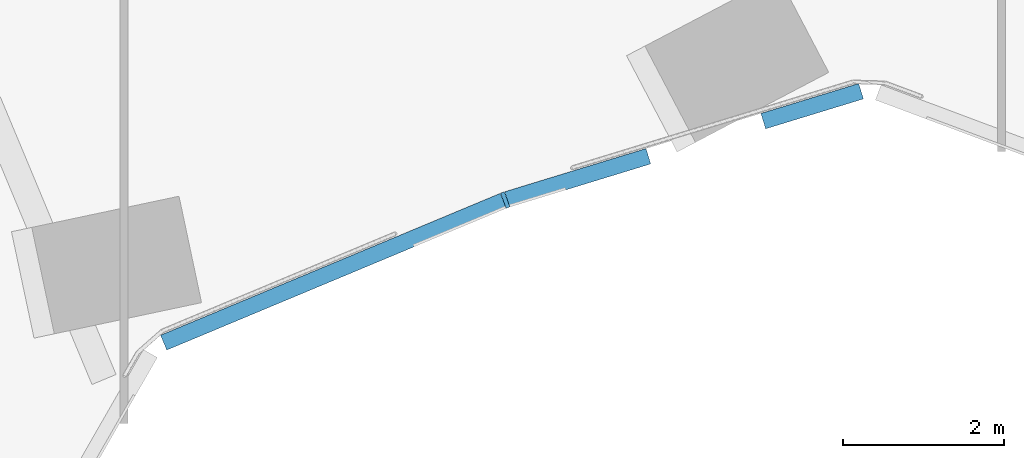
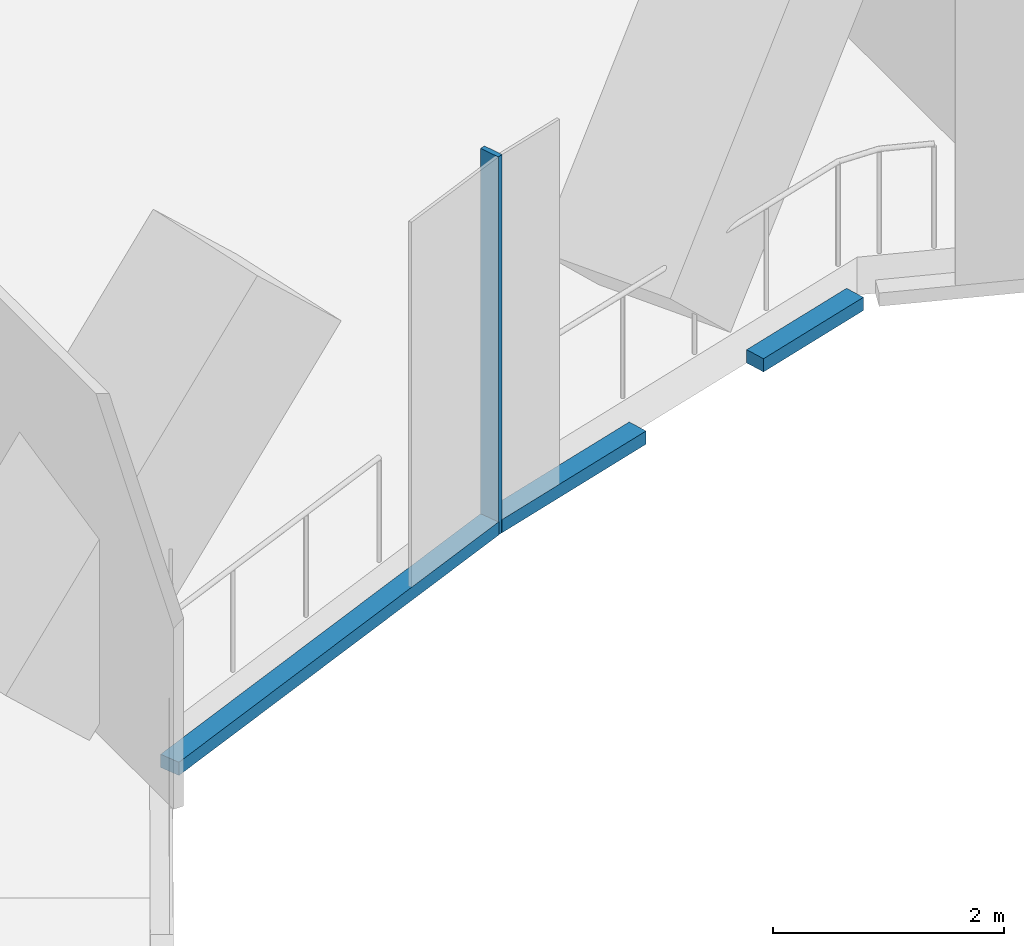
# One storey, part 6 of 34: 4 members, 2 elements without a shape of their own.
"""IFC4 building model written with IfcOpenShell, lengths in metres."""

from ifc_helpers import new_model, si_unit, direction, frame, origin, origin_2d, place, context, subcontext, project, spatial, rectangle, extrude, material, material_profile, profile_set, type_object, element, aggregate, save


model = new_model("IFC4")

# Units and contexts
model_context = context("Model", 3, precision=1e-05, world=origin(), true_north=direction((0.0, 1.0)))
body_context = subcontext(model_context, "Body", "Model", "MODEL_VIEW")
ifc_project = project(units=[si_unit("LENGTHUNIT", "METRE"), si_unit("AREAUNIT", "SQUARE_METRE"), si_unit("VOLUMEUNIT", "CUBIC_METRE"), si_unit("PLANEANGLEUNIT", "RADIAN"), si_unit("MASSUNIT", "GRAM", prefix="KILO")], contexts=[model_context])

# Site, building, storey
site_placement = place(None, origin())
site = spatial("IfcSite", under=ifc_project, at=site_placement, CompositionType="ELEMENT")
building_placement = place(site_placement, origin())
building = spatial("IfcBuilding", under=site, at=building_placement, Name="Orlundy Tower", CompositionType="ELEMENT")
storey_placement = place(building_placement, frame((0.0, 0.0, 98.199951171875)))
storey = spatial("IfcBuildingStorey", under=building, at=storey_placement, Name="L24", CompositionType="ELEMENT", Elevation=98.199951171875)

# Curtain wall, member
ifc_material_1 = material(Name="Aluminium bronze anodised", Category="aluminium")
curtain_wall_type = type_object("IfcCurtainWallType", Name="CW5 wall", PredefinedType="NOTDEFINED", material=ifc_material_1)
curtain_wall_1_placement = place(storey_placement, origin())
curtain_wall_1 = element("IfcCurtainWall", 1, at=curtain_wall_1_placement, inside=storey, type_object=curtain_wall_type, Name="CW5 run 043", PredefinedType="NOTDEFINED")
ifc_material_2 = material(Name="Aluminium bronze anodised", Category="aluminium")
ifc_material_profile_1 = material_profile(ifc_material_2, rectangle(XDim=0.199951171875, YDim=0.050048828125, at=origin_2d()), Name="CW5 mullion 50x200")
ifc_profile_set_1 = profile_set([ifc_material_profile_1], Name="Aluminium bronze anodised")
member_type_1 = type_object("IfcMemberType", Name="CW5 mullion 50x200", PredefinedType="MULLION", material=ifc_profile_set_1)
member_1_placement = place(storey_placement, frame((10.22607421875, -28.34912109375, -0.39990234375), z_axis=(0.0, 0.0, 1.0), x_axis=(0.339258873688, -0.940693051225, 0.0)))
member_1 = element("IfcMember", 2, at=member_1_placement, type_object=member_type_1, Name="CW5 mullion 76", PredefinedType="MULLION", context=body_context, shape_type="SweptSolid", body=[
    extrude(rectangle(XDim=0.199951171875, YDim=0.050048828125, at=origin_2d()), origin(), (0.0, 0.0, 1.0), 4.0),
])

# Curtain wall, members
curtain_wall_2_placement = place(storey_placement, origin())
curtain_wall_2 = element("IfcCurtainWall", 3, at=curtain_wall_2_placement, inside=storey, type_object=curtain_wall_type, Name="CW5 run 042", PredefinedType="NOTDEFINED")
ifc_material_3 = material(Name="Aluminium bronze anodised", Category="aluminium")
ifc_material_profile_2 = material_profile(ifc_material_3, rectangle(XDim=0.199951171875, YDim=0.139892578125, at=origin_2d()), Name="CW5 transom 200x140")
ifc_profile_set_2 = profile_set([ifc_material_profile_2], Name="Aluminium bronze anodised")
member_type_2 = type_object("IfcMemberType", Name="CW5 transom 200x140", PredefinedType="USERDEFINED", material=ifc_profile_set_2)
member_2_placement = place(storey_placement, frame((14.64306640625, -26.998779296875, -0.329833984375), z_axis=(-0.956293310255, -0.292409139326, 0.0), x_axis=(0.292409139326, -0.956293310255, 0.0)))
member_2 = element("IfcMember", 4, at=member_2_placement, type_object=member_type_2, Name="CW5 transom", ObjectType="TRANSOM", PredefinedType="USERDEFINED", context=body_context, shape_type="SweptSolid", body=[
    extrude(rectangle(XDim=0.199951171875, YDim=0.139892578125, at=origin_2d()), origin(), (0.0, 0.0, 1.0), 1.26904296875),
])
member_3_placement = place(storey_placement, frame((12.002685546875, -27.805908203125, -0.329833984375), z_axis=(-0.956298817596, -0.292391127542, 0.0), x_axis=(0.292391127542, -0.956298817596, 0.0)))
member_3 = element("IfcMember", 5, at=member_3_placement, type_object=member_type_2, Name="CW5 transom", ObjectType="TRANSOM", PredefinedType="USERDEFINED", context=body_context, shape_type="SweptSolid", body=[
    extrude(rectangle(XDim=0.199951171875, YDim=0.139892578125, at=origin_2d()), origin(), (0.0, 0.0, 1.0), 1.832763671875),
])
aggregate(curtain_wall_2, [member_2, member_3])

# Member
member_4_placement = place(storey_placement, frame((10.202880859375, -28.35888671875, -0.329833984375), z_axis=(-0.922785815629, -0.385313299115, 0.0), x_axis=(0.385313299115, -0.922785815629, 0.0)))
member_4 = element("IfcMember", 6, at=member_4_placement, type_object=member_type_2, Name="CW5 transom", ObjectType="TRANSOM", PredefinedType="USERDEFINED", context=body_context, shape_type="SweptSolid", body=[
    extrude(rectangle(XDim=0.199951171875, YDim=0.139892578125, at=origin_2d()), origin(), (0.0, 0.0, 1.0), 4.569580078125),
])

aggregate(curtain_wall_1, [member_1, member_4])

save(model, "model.ifc")
